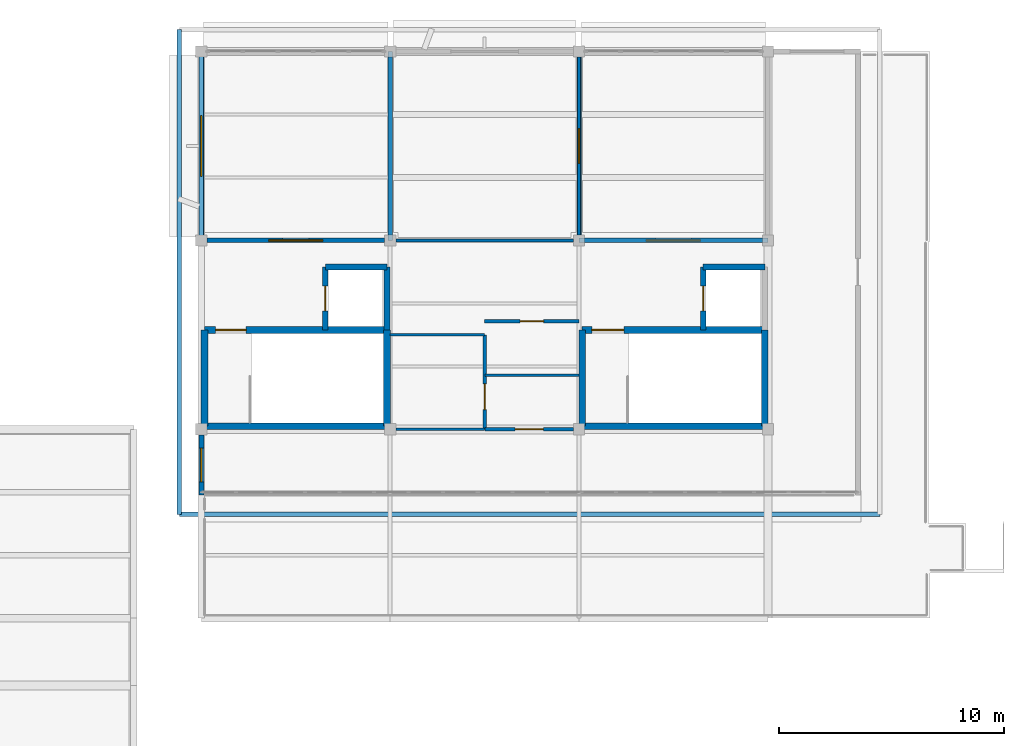
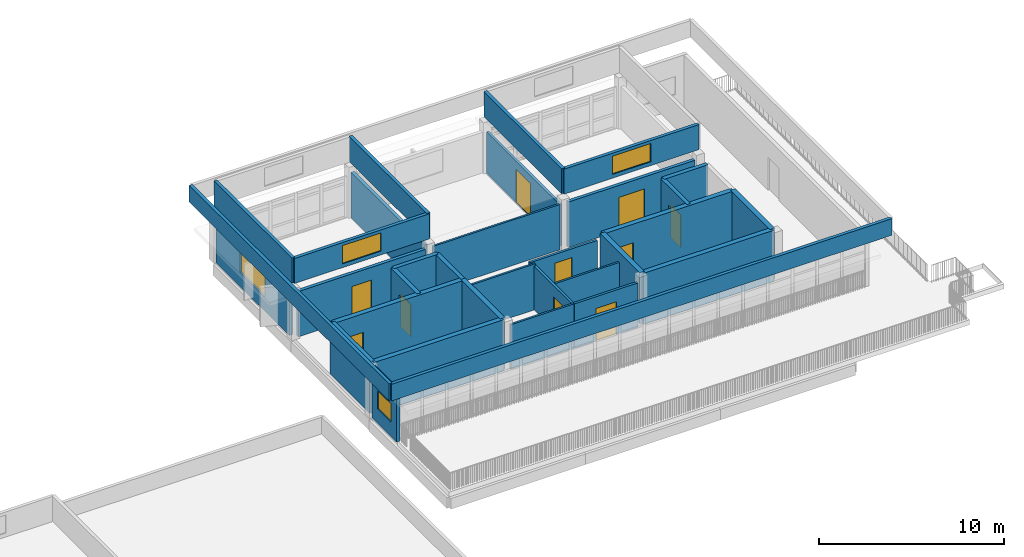
# One storey, part 8 of 14: 33 walls, 10 doors, 4 windows, 14 openings.
"""IFC4 building model written with IfcOpenShell, lengths in metres."""

from ifc_helpers import new_model, si_unit, direction, frame, frame_2d, origin, place, context, subcontext, project, spatial, rectangle, extrude, material, layer, layer_set, type_object, element, fill, save


model = new_model("IFC4")

# Units and contexts
model_context = context("Model", 3, precision=1e-05, world=origin(), true_north=direction((0.0, 1.0)))
body_context = subcontext(model_context, "Body", "Model", "MODEL_VIEW")
ifc_project = project(units=[si_unit("LENGTHUNIT", "METRE"), si_unit("AREAUNIT", "SQUARE_METRE"), si_unit("VOLUMEUNIT", "CUBIC_METRE"), si_unit("PLANEANGLEUNIT", "RADIAN"), si_unit("MASSUNIT", "GRAM", prefix="KILO")], contexts=[model_context])

# Site, building, storey
site_placement = place(None, origin())
site = spatial("IfcSite", under=ifc_project, at=site_placement, CompositionType="ELEMENT")
building_placement = place(site_placement, origin())
building = spatial("IfcBuilding", under=site, at=building_placement, Name="Vanh Quang Courtyard School", CompositionType="ELEMENT")
storey_placement = place(building_placement, frame((0.0, 0.0, 22.199951171875)))
storey = spatial("IfcBuildingStorey", under=building, at=storey_placement, Name="L06", CompositionType="ELEMENT", Elevation=22.199951171875)

# Wall
ifc_material_1 = material(Name="Concrete C30/37", Category="concrete")
ifc_layer_1 = layer(ifc_material_1, 0.199951171875)
ifc_layer_set_1 = layer_set([ifc_layer_1], Name="Concrete C30/37")
wall_type_1 = type_object("IfcWallType", Name="W-COMP-200", PredefinedType="PARTITIONING", material=ifc_layer_set_1)
wall_1_placement = place(storey_placement, frame((85.800048828125, 96.35205078125, 0.0), z_axis=(0.0, 0.0, 1.0), x_axis=(0.0, -1.0, 0.0)))
element("IfcWall", 1, at=wall_1_placement, inside=storey, type_object=wall_type_1, Name="Wall W-COMP1 (L06)", PredefinedType="PARTITIONING", context=body_context, shape_type="SweptSolid", body=[
    extrude(rectangle(XDim=7.904052734375, YDim=0.199951171875, at=frame_2d((3.9521484375, 0.0))), origin(), (0.0, 0.0, 1.0), 3.02001953125),
])

# Wall, opening, door
wall_2_placement = place(storey_placement, frame((85.552001953125, 88.199951171875, 0.0), z_axis=(0.0, 0.0, 1.0), x_axis=(-1.0, 0.0, 0.0)))
wall_2 = element("IfcWall", 2, at=wall_2_placement, inside=storey, type_object=wall_type_1, Name="Wall W-COMP1 (L06)", PredefinedType="PARTITIONING", context=body_context, shape_type="SweptSolid", body=[
    extrude(rectangle(XDim=7.904052734375, YDim=0.199951171875, at=frame_2d((3.9521484375, 0.0))), origin(), (0.0, 0.0, 1.0), 2.989990234375),
])
opening_1_placement = place(wall_2_placement, frame((3.35205078125, 0.0, 0.0)))
opening_1 = element("IfcOpeningElement", 3, at=opening_1_placement, cuts=wall_2, Name="Opening L06-D194", PredefinedType="OPENING", context=body_context, shape_type="SweptSolid", body=[
    extrude(rectangle(XDim=1.199951171875, YDim=2.14990234375, at=frame_2d((0.60009765625, 1.074951171875))), frame((0.0, 0.10986328125, 0.0), z_axis=(0.0, -1.0, 0.0), x_axis=(1.0, 0.0, 0.0)), (0.0, 0.0, 1.0), 0.219970703125),
])
ifc_material_2 = material(Name="Painted galvanised steel fire door", Category="steel")
door_type_1 = type_object("IfcDoorType", Name="IDR-FD-1200x2150", OperationType="NOTDEFINED", PredefinedType="DOOR", material=ifc_material_2)
door_1_placement = place(opening_1_placement, origin())
door_1 = element("IfcDoor", 4, at=door_1_placement, inside=storey, type_object=door_type_1, Name="Door L06-D194 (L06)", OperationType="SINGLE_SWING_LEFT", OverallHeight=2.14990234375, OverallWidth=1.199951171875, PredefinedType="DOOR", context=body_context, shape_type="SweptSolid", body=[
    extrude(rectangle(XDim=1.199951171875, YDim=2.14990234375, at=frame_2d((0.60009765625, 1.074951171875))), frame((0.0, 0.02490234375, 0.0), z_axis=(0.0, -1.0, 0.0), x_axis=(1.0, 0.0, 0.0)), (0.0, 0.0, 1.0), 0.050048828125),
])
fill(opening_1, door_1)

wall_3_placement = place(storey_placement, frame((102.35205078125, 88.199951171875, 0.0), z_axis=(0.0, 0.0, 1.0), x_axis=(-1.0, 0.0, 0.0)))
wall_3 = element("IfcWall", 5, at=wall_3_placement, inside=storey, type_object=wall_type_1, Name="Wall W-COMP1 (L06)", PredefinedType="PARTITIONING", context=body_context, shape_type="SweptSolid", body=[
    extrude(rectangle(XDim=7.904052734375, YDim=0.199951171875, at=frame_2d((3.9521484375, 0.0))), origin(), (0.0, 0.0, 1.0), 2.989990234375),
])
opening_2_placement = place(wall_3_placement, frame((3.152099609375, 0.0, 0.0)))
opening_2 = element("IfcOpeningElement", 6, at=opening_2_placement, cuts=wall_3, Name="Opening L06-D196", PredefinedType="OPENING", context=body_context, shape_type="SweptSolid", body=[
    extrude(rectangle(XDim=1.60009765625, YDim=2.199951171875, at=frame_2d((0.800048828125, 1.10009765625))), frame((0.0, 0.10986328125, 0.0), z_axis=(0.0, -1.0, 0.0), x_axis=(1.0, 0.0, 0.0)), (0.0, 0.0, 1.0), 0.219970703125),
])
door_type_2 = type_object("IfcDoorType", Name="IDR-FD-1600x2200", OperationType="NOTDEFINED", PredefinedType="DOOR", material=ifc_material_2)
door_2_placement = place(opening_2_placement, origin())
door_2 = element("IfcDoor", 7, at=door_2_placement, inside=storey, type_object=door_type_2, Name="Door L06-D196 (L06)", OperationType="DOUBLE_DOOR_SINGLE_SWING", OverallHeight=2.199951171875, OverallWidth=1.60009765625, PredefinedType="DOOR", context=body_context, shape_type="SweptSolid", body=[
    extrude(rectangle(XDim=1.60009765625, YDim=2.199951171875, at=frame_2d((0.800048828125, 1.10009765625))), frame((0.0, 0.02490234375, 0.0), z_axis=(0.0, -1.0, 0.0), x_axis=(1.0, 0.0, 0.0)), (0.0, 0.0, 1.0), 0.050048828125),
])
fill(opening_2, door_2)

# Walls
ifc_material_3 = material(Name="Concrete C35/45", Category="concrete")
ifc_layer_2 = layer(ifc_material_3, 0.300048828125)
ifc_layer_set_2 = layer_set([ifc_layer_2], Name="Concrete C35/45")
wall_type_2 = type_object("IfcWallType", Name="W-CORE-300", PredefinedType="SHEAR", material=ifc_layer_set_2)
wall_4_placement = place(storey_placement, frame((77.5400390625, 79.93994140625, 0.0), z_axis=(0.0, 0.0, 1.0), x_axis=(1.0, 0.0, 0.0)))
element("IfcWall", 8, at=wall_4_placement, inside=storey, type_object=wall_type_2, Name="Wall W-CORE1 (L06)", PredefinedType="SHEAR", context=body_context, shape_type="SweptSolid", body=[
    extrude(rectangle(XDim=8.119873046875, YDim=0.300048828125, at=frame_2d((4.06005859375, 0.0))), origin(), (0.0, 0.0, 1.0), 3.380126953125),
])
wall_5_placement = place(storey_placement, frame((85.659912109375, 79.93994140625, 0.0), z_axis=(0.0, 0.0, 1.0), x_axis=(0.0, 1.0, 0.0)))
element("IfcWall", 9, at=wall_5_placement, inside=storey, type_object=wall_type_2, Name="Wall W-CORE1 (L06)", PredefinedType="SHEAR", context=body_context, shape_type="SweptSolid", body=[
    extrude(rectangle(XDim=4.280029296875, YDim=0.300048828125, at=frame_2d((2.14013671875, 0.0))), origin(), (0.0, 0.0, 1.0), 3.380126953125),
])

# Wall, opening, door
wall_6_placement = place(storey_placement, frame((85.659912109375, 84.219970703125, 0.0), z_axis=(0.0, 0.0, 1.0), x_axis=(-1.0, 0.0, 0.0)))
wall_6 = element("IfcWall", 10, at=wall_6_placement, inside=storey, type_object=wall_type_2, Name="Wall W-CORE1 (L06)", PredefinedType="SHEAR", context=body_context, shape_type="SweptSolid", body=[
    extrude(rectangle(XDim=8.119873046875, YDim=0.300048828125, at=frame_2d((4.06005859375, 0.0))), origin(), (0.0, 0.0, 1.0), 3.380126953125),
])
opening_3_placement = place(wall_6_placement, frame((6.27001953125, 0.0, 0.0)))
opening_3 = element("IfcOpeningElement", 11, at=opening_3_placement, cuts=wall_6, Name="Opening L06-DS1", PredefinedType="OPENING", context=body_context, shape_type="SweptSolid", body=[
    extrude(rectangle(XDim=1.35009765625, YDim=2.14990234375, at=frame_2d((0.675048828125, 1.074951171875))), frame((0.0, 0.16015625, 0.0), z_axis=(0.0, -1.0, 0.0), x_axis=(1.0, 0.0, 0.0)), (0.0, 0.0, 1.0), 0.320068359375),
])
door_type_3 = type_object("IfcDoorType", Name="IDR-ST-1350x2150", OperationType="NOTDEFINED", PredefinedType="DOOR", material=ifc_material_2)
door_3_placement = place(opening_3_placement, frame((1.35009765625, 0.0, 0.0), z_axis=(0.0, 0.0, 1.0), x_axis=(-1.0, 0.0, 0.0)))
door_3 = element("IfcDoor", 12, at=door_3_placement, inside=storey, type_object=door_type_3, Name="Door L06-DS1 (L06)", OperationType="SINGLE_SWING_RIGHT", OverallHeight=2.14990234375, OverallWidth=1.35009765625, PredefinedType="DOOR", context=body_context, shape_type="SweptSolid", body=[
    extrude(rectangle(XDim=1.35009765625, YDim=2.14990234375, at=frame_2d((0.675048828125, 1.074951171875))), frame((0.0, 0.02490234375, 0.0), z_axis=(0.0, -1.0, 0.0), x_axis=(1.0, 0.0, 0.0)), (0.0, 0.0, 1.0), 0.050048828125),
])
fill(opening_3, door_3)

# Walls
wall_7_placement = place(storey_placement, frame((77.5400390625, 84.219970703125, 0.0), z_axis=(0.0, 0.0, 1.0), x_axis=(0.0, -1.0, 0.0)))
element("IfcWall", 13, at=wall_7_placement, inside=storey, type_object=wall_type_2, Name="Wall W-CORE1 (L06)", PredefinedType="SHEAR", context=body_context, shape_type="SweptSolid", body=[
    extrude(rectangle(XDim=4.280029296875, YDim=0.300048828125, at=frame_2d((2.14013671875, 0.0))), origin(), (0.0, 0.0, 1.0), 3.380126953125),
])
wall_8_placement = place(storey_placement, frame((94.340087890625, 79.93994140625, 0.0), z_axis=(0.0, 0.0, 1.0), x_axis=(1.0, 0.0, 0.0)))
element("IfcWall", 14, at=wall_8_placement, inside=storey, type_object=wall_type_2, Name="Wall W-CORE1 (L06)", PredefinedType="SHEAR", context=body_context, shape_type="SweptSolid", body=[
    extrude(rectangle(XDim=8.119873046875, YDim=0.300048828125, at=frame_2d((4.06005859375, 0.0))), origin(), (0.0, 0.0, 1.0), 3.380126953125),
])
wall_9_placement = place(storey_placement, frame((102.4599609375, 79.93994140625, 0.0), z_axis=(0.0, 0.0, 1.0), x_axis=(0.0, 1.0, 0.0)))
element("IfcWall", 15, at=wall_9_placement, inside=storey, type_object=wall_type_2, Name="Wall W-CORE1 (L06)", PredefinedType="SHEAR", context=body_context, shape_type="SweptSolid", body=[
    extrude(rectangle(XDim=4.280029296875, YDim=0.300048828125, at=frame_2d((2.14013671875, 0.0))), origin(), (0.0, 0.0, 1.0), 3.380126953125),
])

# Wall, opening, door
wall_10_placement = place(storey_placement, frame((102.4599609375, 84.219970703125, 0.0), z_axis=(0.0, 0.0, 1.0), x_axis=(-1.0, 0.0, 0.0)))
wall_10 = element("IfcWall", 16, at=wall_10_placement, inside=storey, type_object=wall_type_2, Name="Wall W-CORE1 (L06)", PredefinedType="SHEAR", context=body_context, shape_type="SweptSolid", body=[
    extrude(rectangle(XDim=8.119873046875, YDim=0.300048828125, at=frame_2d((4.06005859375, 0.0))), origin(), (0.0, 0.0, 1.0), 3.380126953125),
])
opening_4_placement = place(wall_10_placement, frame((6.27001953125, 0.0, 0.0)))
opening_4 = element("IfcOpeningElement", 17, at=opening_4_placement, cuts=wall_10, Name="Opening L06-DS2", PredefinedType="OPENING", context=body_context, shape_type="SweptSolid", body=[
    extrude(rectangle(XDim=1.419921875, YDim=2.14990234375, at=frame_2d((0.7099609375, 1.074951171875))), frame((0.0, 0.16015625, 0.0), z_axis=(0.0, -1.0, 0.0), x_axis=(1.0, 0.0, 0.0)), (0.0, 0.0, 1.0), 0.320068359375),
])
door_type_4 = type_object("IfcDoorType", Name="IDR-ST-1420x2150", OperationType="NOTDEFINED", PredefinedType="DOOR", material=ifc_material_2)
door_4_placement = place(opening_4_placement, frame((1.419921875, 0.0, 0.0), z_axis=(0.0, 0.0, 1.0), x_axis=(-1.0, 0.0, 0.0)))
door_4 = element("IfcDoor", 18, at=door_4_placement, inside=storey, type_object=door_type_4, Name="Door L06-DS2 (L06)", OperationType="SINGLE_SWING_LEFT", OverallHeight=2.14990234375, OverallWidth=1.419921875, PredefinedType="DOOR", context=body_context, shape_type="SweptSolid", body=[
    extrude(rectangle(XDim=1.419921875, YDim=2.14990234375, at=frame_2d((0.7099609375, 1.074951171875))), frame((0.0, 0.02490234375, 0.0), z_axis=(0.0, -1.0, 0.0), x_axis=(1.0, 0.0, 0.0)), (0.0, 0.0, 1.0), 0.050048828125),
])
fill(opening_4, door_4)

# Wall
wall_11_placement = place(storey_placement, frame((94.340087890625, 84.219970703125, 0.0), z_axis=(0.0, 0.0, 1.0), x_axis=(0.0, -1.0, 0.0)))
element("IfcWall", 19, at=wall_11_placement, inside=storey, type_object=wall_type_2, Name="Wall W-CORE1 (L06)", PredefinedType="SHEAR", context=body_context, shape_type="SweptSolid", body=[
    extrude(rectangle(XDim=4.280029296875, YDim=0.300048828125, at=frame_2d((2.14013671875, 0.0))), origin(), (0.0, 0.0, 1.0), 3.380126953125),
])

# Wall, opening, window
ifc_layer_3 = layer(ifc_material_1, 0.219970703125)
ifc_layer_set_3 = layer_set([ifc_layer_3], Name="Concrete C30/37")
wall_type_3 = type_object("IfcWallType", Name="W-EXT-220", PredefinedType="SOLIDWALL", material=ifc_layer_set_3)
wall_12_placement = place(storey_placement, frame((77.39990234375, 76.8798828125, 0.0), z_axis=(0.0, 0.0, 1.0), x_axis=(0.0, 1.0, 0.0)))
wall_12 = element("IfcWall", 20, at=wall_12_placement, inside=storey, type_object=wall_type_3, Name="Wall WE-04 (L06)", PredefinedType="SOLIDWALL", context=body_context, shape_type="SweptSolid", body=[
    extrude(rectangle(XDim=2.672119140625, YDim=0.219970703125, at=frame_2d((1.3359375, 0.0))), origin(), (0.0, 0.0, 1.0), 3.380126953125),
])
opening_5_placement = place(wall_12_placement, frame((0.5859375, 0.0, 0.949951171875)))
opening_5 = element("IfcOpeningElement", 21, at=opening_5_placement, cuts=wall_12, Name="Opening WN-02", PredefinedType="OPENING", context=body_context, shape_type="SweptSolid", body=[
    extrude(rectangle(XDim=1.5, YDim=1.199951171875, at=frame_2d((0.75, 0.60009765625))), frame((0.0, 0.1201171875, 0.0), z_axis=(0.0, -1.0, 0.0), x_axis=(1.0, 0.0, 0.0)), (0.0, 0.0, 1.0), 0.239990234375),
])
ifc_material_4 = material(Name="Anodised aluminium and low-E double glazing", Category="aluminium")
window_type_1 = type_object("IfcWindowType", Name="WIN-TYP-02", PartitioningType="SINGLE_PANEL", PredefinedType="WINDOW", material=ifc_material_4)
window_1_placement = place(opening_5_placement, origin())
window_1 = element("IfcWindow", 22, at=window_1_placement, inside=storey, type_object=window_type_1, Name="Window WN-02 (L06)", OverallHeight=1.199951171875, OverallWidth=1.5, PartitioningType="SINGLE_PANEL", PredefinedType="WINDOW", context=body_context, shape_type="SweptSolid", body=[
    extrude(rectangle(XDim=1.5, YDim=1.199951171875, at=frame_2d((0.75, 0.60009765625))), frame((0.0, 0.030029296875, 0.0), z_axis=(0.0, -1.0, 0.0), x_axis=(1.0, 0.0, 0.0)), (0.0, 0.0, 1.0), 0.06005859375),
])
fill(opening_5, window_1)

wall_13_placement = place(storey_placement, frame((77.39990234375, 88.447998046875, 0.0), z_axis=(0.0, 0.0, 1.0), x_axis=(0.0, 1.0, 0.0)))
wall_13 = element("IfcWall", 23, at=wall_13_placement, inside=storey, type_object=wall_type_3, Name="Wall WE-04 (L06)", PredefinedType="SOLIDWALL", context=body_context, shape_type="SweptSolid", body=[
    extrude(rectangle(XDim=7.904052734375, YDim=0.219970703125, at=frame_2d((3.9521484375, 0.0))), origin(), (0.0, 0.0, 1.0), 2.679931640625),
])
opening_6_placement = place(wall_13_placement, frame((2.60205078125, 0.0, 0.949951171875)))
opening_6 = element("IfcOpeningElement", 24, at=opening_6_placement, cuts=wall_13, Name="Opening WN-15", PredefinedType="OPENING", context=body_context, shape_type="SweptSolid", body=[
    extrude(rectangle(XDim=2.699951171875, YDim=1.5, at=frame_2d((1.35009765625, 0.75))), frame((0.0, 0.1201171875, 0.0), z_axis=(0.0, -1.0, 0.0), x_axis=(1.0, 0.0, 0.0)), (0.0, 0.0, 1.0), 0.239990234375),
])
window_type_2 = type_object("IfcWindowType", Name="WIN-TYP-15", PartitioningType="SINGLE_PANEL", PredefinedType="WINDOW", material=ifc_material_4)
window_2_placement = place(opening_6_placement, origin())
window_2 = element("IfcWindow", 25, at=window_2_placement, inside=storey, type_object=window_type_2, Name="Window WN-15 (L06)", OverallHeight=1.5, OverallWidth=2.699951171875, PartitioningType="SINGLE_PANEL", PredefinedType="WINDOW", context=body_context, shape_type="SweptSolid", body=[
    extrude(rectangle(XDim=2.699951171875, YDim=1.5, at=frame_2d((1.35009765625, 0.75))), frame((0.0, 0.030029296875, 0.0), z_axis=(0.0, -1.0, 0.0), x_axis=(1.0, 0.0, 0.0)), (0.0, 0.0, 1.0), 0.06005859375),
])
fill(opening_6, window_2)

ifc_layer_4 = layer(ifc_material_3, 0.199951171875)
ifc_layer_set_4 = layer_set([ifc_layer_4], Name="Concrete C35/45")
wall_type_4 = type_object("IfcWallType", Name="W-MON-200", PredefinedType="SHEAR", material=ifc_layer_set_4)
wall_14_placement = place(storey_placement, frame((77.39990234375, 88.199951171875, 3.60009765625), z_axis=(0.0, 0.0, 1.0), x_axis=(1.0, 0.0, 0.0)))
wall_14 = element("IfcWall", 26, at=wall_14_placement, inside=storey, type_object=wall_type_4, Name="Wall WM-01 (L06)", PredefinedType="SHEAR", context=body_context, shape_type="SweptSolid", body=[
    extrude(rectangle(XDim=8.400146484375, YDim=0.199951171875, at=frame_2d((4.2001953125, 0.0))), origin(), (0.0, 0.0, 1.0), 1.64990234375),
])
opening_7_placement = place(wall_14_placement, frame((3.0, 0.0, 0.25)))
opening_7 = element("IfcOpeningElement", 27, at=opening_7_placement, cuts=wall_14, Name="Opening WN-05", PredefinedType="OPENING", context=body_context, shape_type="SweptSolid", body=[
    extrude(rectangle(XDim=2.39990234375, YDim=1.199951171875, at=frame_2d((1.199951171875, 0.60009765625))), frame((0.0, 0.10986328125, 0.0), z_axis=(0.0, -1.0, 0.0), x_axis=(1.0, 0.0, 0.0)), (0.0, 0.0, 1.0), 0.219970703125),
])
window_type_3 = type_object("IfcWindowType", Name="WIN-TYP-05", PartitioningType="SINGLE_PANEL", PredefinedType="WINDOW", material=ifc_material_4)
window_3_placement = place(opening_7_placement, origin())
window_3 = element("IfcWindow", 28, at=window_3_placement, inside=storey, type_object=window_type_3, Name="Window WN-05 (L06)", OverallHeight=1.199951171875, OverallWidth=2.39990234375, PartitioningType="SINGLE_PANEL", PredefinedType="WINDOW", context=body_context, shape_type="SweptSolid", body=[
    extrude(rectangle(XDim=2.39990234375, YDim=1.199951171875, at=frame_2d((1.199951171875, 0.60009765625))), frame((0.0, 0.030029296875, 0.0), z_axis=(0.0, -1.0, 0.0), x_axis=(1.0, 0.0, 0.0)), (0.0, 0.0, 1.0), 0.06005859375),
])
fill(opening_7, window_3)

# Walls
for number, where, z_axis, x_axis, name in (
    (29, (85.800048828125, 88.199951171875, 3.60009765625), (0.0, 0.0, 1.0), (0.0, 1.0, 0.0), "Wall WM-01 (L06)"),
    (30, (77.39990234375, 96.60009765625, 3.60009765625), (0.0, 0.0, 1.0), (0.0, -1.0, 0.0), "Wall WM-01 (L06)"),
):
    element("IfcWall", number, at=place(storey_placement, frame(where, z_axis=z_axis, x_axis=x_axis)), inside=storey, type_object=wall_type_4, Name=name, PredefinedType="SHEAR", context=body_context, shape_type="SweptSolid", body=[
        extrude(rectangle(XDim=8.400146484375, YDim=0.199951171875, at=frame_2d((4.2001953125, 0.0))), origin(), (0.0, 0.0, 1.0), 1.64990234375),
    ])

# Wall, opening, window
wall_15_placement = place(storey_placement, frame((94.199951171875, 88.199951171875, 3.60009765625), z_axis=(0.0, 0.0, 1.0), x_axis=(1.0, 0.0, 0.0)))
wall_15 = element("IfcWall", 31, at=wall_15_placement, inside=storey, type_object=wall_type_4, Name="Wall WM-01 (L06)", PredefinedType="SHEAR", context=body_context, shape_type="SweptSolid", body=[
    extrude(rectangle(XDim=8.400146484375, YDim=0.199951171875, at=frame_2d((4.2001953125, 0.0))), origin(), (0.0, 0.0, 1.0), 1.64990234375),
])
opening_8_placement = place(wall_15_placement, frame((3.0, 0.0, 0.25)))
opening_8 = element("IfcOpeningElement", 32, at=opening_8_placement, cuts=wall_15, Name="Opening WN-05", PredefinedType="OPENING", context=body_context, shape_type="SweptSolid", body=[
    extrude(rectangle(XDim=2.39990234375, YDim=1.199951171875, at=frame_2d((1.199951171875, 0.60009765625))), frame((0.0, 0.10986328125, 0.0), z_axis=(0.0, -1.0, 0.0), x_axis=(1.0, 0.0, 0.0)), (0.0, 0.0, 1.0), 0.219970703125),
])
window_4_placement = place(opening_8_placement, origin())
window_4 = element("IfcWindow", 33, at=window_4_placement, inside=storey, type_object=window_type_3, Name="Window WN-05 (L06)", OverallHeight=1.199951171875, OverallWidth=2.39990234375, PartitioningType="SINGLE_PANEL", PredefinedType="WINDOW", context=body_context, shape_type="SweptSolid", body=[
    extrude(rectangle(XDim=2.39990234375, YDim=1.199951171875, at=frame_2d((1.199951171875, 0.60009765625))), frame((0.0, 0.030029296875, 0.0), z_axis=(0.0, -1.0, 0.0), x_axis=(1.0, 0.0, 0.0)), (0.0, 0.0, 1.0), 0.06005859375),
])
fill(opening_8, window_4)

# Walls
wall_16_placement = place(storey_placement, frame((94.199951171875, 96.60009765625, 3.60009765625), z_axis=(0.0, 0.0, 1.0), x_axis=(0.0, -1.0, 0.0)))
element("IfcWall", 34, at=wall_16_placement, inside=storey, type_object=wall_type_4, Name="Wall WM-01 (L06)", PredefinedType="SHEAR", context=body_context, shape_type="SweptSolid", body=[
    extrude(rectangle(XDim=8.400146484375, YDim=0.199951171875, at=frame_2d((4.2001953125, 0.0))), origin(), (0.0, 0.0, 1.0), 1.64990234375),
])
ifc_layer_5 = layer(ifc_material_3, 0.199951171875)
ifc_layer_set_5 = layer_set([ifc_layer_5], Name="Concrete C35/45")
wall_type_5 = type_object("IfcWallType", Name="W-PAR-200", PredefinedType="PARAPET", material=ifc_layer_set_5)
wall_17_placement = place(storey_placement, frame((76.419921875, 76.02001953125, 3.60009765625), z_axis=(0.0, 0.0, 1.0), x_axis=(0.0, 1.0, 0.0)))
element("IfcWall", 35, at=wall_17_placement, inside=storey, type_object=wall_type_5, Name="Wall WP-01 (L06)", PredefinedType="PARAPET", context=body_context, shape_type="SweptSolid", body=[
    extrude(rectangle(XDim=21.56005859375, YDim=0.199951171875, at=frame_2d((10.780029296875, 0.0))), origin(), (0.0, 0.0, 1.0), 1.099853515625),
])
wall_18_placement = place(storey_placement, frame((107.580078125, 76.02001953125, 3.60009765625), z_axis=(0.0, 0.0, 1.0), x_axis=(-1.0, 0.0, 0.0)))
element("IfcWall", 36, at=wall_18_placement, inside=storey, type_object=wall_type_5, Name="Wall WP-01 (L06)", PredefinedType="PARAPET", context=body_context, shape_type="SweptSolid", body=[
    extrude(rectangle(XDim=31.16015625, YDim=0.199951171875, at=frame_2d((15.580078125, 0.0))), origin(), (0.0, 0.0, 1.0), 1.099853515625),
])
ifc_material_5 = material(Name="Acoustic gypsum stud partition", Category="gypsum")
ifc_layer_6 = layer(ifc_material_5, 0.1201171875)
ifc_layer_set_6 = layer_set([ifc_layer_6], Name="Acoustic gypsum stud partition")
wall_type_6 = type_object("IfcWallType", Name="W-PART-120", PredefinedType="PARTITIONING", material=ifc_layer_set_6)
wall_19_placement = place(storey_placement, frame((85.800048828125, 84.0, 0.0), z_axis=(0.0, 0.0, 1.0), x_axis=(1.0, 0.0, 0.0)))
element("IfcWall", 37, at=wall_19_placement, inside=storey, type_object=wall_type_6, Name="Wall W-PRT2 (L06)", PredefinedType="PARTITIONING", context=body_context, shape_type="SweptSolid", body=[
    extrude(rectangle(XDim=4.199951171875, YDim=0.1201171875, at=frame_2d((2.10009765625, 0.0))), origin(), (0.0, 0.0, 1.0), 3.02001953125),
])
wall_20_placement = place(storey_placement, frame((90.0, 79.800048828125, 0.0), z_axis=(0.0, 0.0, 1.0), x_axis=(-1.0, 0.0, 0.0)))
element("IfcWall", 38, at=wall_20_placement, inside=storey, type_object=wall_type_6, Name="Wall W-PRT2 (L06)", PredefinedType="PARTITIONING", context=body_context, shape_type="SweptSolid", body=[
    extrude(rectangle(XDim=3.951904296875, YDim=0.1201171875, at=frame_2d((1.97607421875, 0.0))), origin(), (0.0, 0.0, 1.0), 2.929931640625),
])
wall_21_placement = place(storey_placement, frame((90.02001953125, 82.199951171875, 0.0), z_axis=(0.0, 0.0, 1.0), x_axis=(1.0, 0.0, 0.0)))
element("IfcWall", 39, at=wall_21_placement, inside=storey, type_object=wall_type_6, Name="Wall W-PRT2 (L06)", PredefinedType="PARTITIONING", context=body_context, shape_type="SweptSolid", body=[
    extrude(rectangle(XDim=4.179931640625, YDim=0.1201171875, at=frame_2d((2.08984375, 0.0))), origin(), (0.0, 0.0, 1.0), 2.72998046875),
])
wall_22_placement = place(storey_placement, frame((93.951904296875, 88.199951171875, 0.0), z_axis=(0.0, 0.0, 1.0), x_axis=(-1.0, 0.0, 0.0)))
element("IfcWall", 40, at=wall_22_placement, inside=storey, type_object=wall_type_6, Name="Wall W-PRT2 (L06)", PredefinedType="PARTITIONING", context=body_context, shape_type="SweptSolid", body=[
    extrude(rectangle(XDim=7.90380859375, YDim=0.1201171875, at=frame_2d((3.951904296875, 0.0))), origin(), (0.0, 0.0, 1.0), 2.989990234375),
])

# Wall, opening, door
ifc_material_6 = material(Name="Autoclaved aerated masonry blockwork", Category="masonry")
ifc_layer_7 = layer(ifc_material_6, 0.14990234375)
ifc_layer_set_7 = layer_set([ifc_layer_7], Name="Autoclaved aerated masonry blockwork")
wall_type_7 = type_object("IfcWallType", Name="W-PART-150", PredefinedType="PARTITIONING", material=ifc_layer_set_7)
wall_23_placement = place(storey_placement, frame((90.0, 84.0, 0.0), z_axis=(0.0, 0.0, 1.0), x_axis=(0.0, -1.0, 0.0)))
wall_23 = element("IfcWall", 41, at=wall_23_placement, inside=storey, type_object=wall_type_7, Name="Wall W-PRT1 (L06)", PredefinedType="PARTITIONING", context=body_context, shape_type="SweptSolid", body=[
    extrude(rectangle(XDim=4.199951171875, YDim=0.14990234375, at=frame_2d((2.10009765625, 0.0))), origin(), (0.0, 0.0, 1.0), 2.880126953125),
])
opening_9_placement = place(wall_23_placement, frame((2.175048828125, 0.0, 0.0)))
opening_9 = element("IfcOpeningElement", 42, at=opening_9_placement, cuts=wall_23, Name="Opening L06-D191", PredefinedType="OPENING", context=body_context, shape_type="SweptSolid", body=[
    extrude(rectangle(XDim=1.14990234375, YDim=2.14990234375, at=frame_2d((0.574951171875, 1.074951171875))), frame((0.0, 0.0849609375, 0.0), z_axis=(0.0, -1.0, 0.0), x_axis=(1.0, 0.0, 0.0)), (0.0, 0.0, 1.0), 0.169921875),
])
door_type_5 = type_object("IfcDoorType", Name="IDR-LAB-1150x2150", OperationType="NOTDEFINED", PredefinedType="DOOR", material=ifc_material_2)
door_5_placement = place(opening_9_placement, origin())
door_5 = element("IfcDoor", 43, at=door_5_placement, inside=storey, type_object=door_type_5, Name="Door L06-D191 (L06)", OperationType="SINGLE_SWING_RIGHT", OverallHeight=2.14990234375, OverallWidth=1.14990234375, PredefinedType="DOOR", context=body_context, shape_type="SweptSolid", body=[
    extrude(rectangle(XDim=1.14990234375, YDim=2.14990234375, at=frame_2d((0.574951171875, 1.074951171875))), frame((0.0, 0.02490234375, 0.0), z_axis=(0.0, -1.0, 0.0), x_axis=(1.0, 0.0, 0.0)), (0.0, 0.0, 1.0), 0.050048828125),
])
fill(opening_9, door_5)

wall_24_placement = place(storey_placement, frame((93.951904296875, 79.800048828125, 0.0), z_axis=(0.0, 0.0, 1.0), x_axis=(-1.0, 0.0, 0.0)))
wall_24 = element("IfcWall", 44, at=wall_24_placement, inside=storey, type_object=wall_type_7, Name="Wall W-PRT1 (L06)", PredefinedType="PARTITIONING", context=body_context, shape_type="SweptSolid", body=[
    extrude(rectangle(XDim=3.931884765625, YDim=0.14990234375, at=frame_2d((1.9658203125, 0.0))), origin(), (0.0, 0.0, 1.0), 2.929931640625),
])
opening_10_placement = place(wall_24_placement, frame((1.341064453125, 0.0, 0.0)))
opening_10 = element("IfcOpeningElement", 45, at=opening_10_placement, cuts=wall_24, Name="Opening L06-D192", PredefinedType="OPENING", context=body_context, shape_type="SweptSolid", body=[
    extrude(rectangle(XDim=1.25, YDim=2.14990234375, at=frame_2d((0.625, 1.074951171875))), frame((0.0, 0.0849609375, 0.0), z_axis=(0.0, -1.0, 0.0), x_axis=(1.0, 0.0, 0.0)), (0.0, 0.0, 1.0), 0.169921875),
])
door_type_6 = type_object("IfcDoorType", Name="IDR-LAB-1250x2150", OperationType="NOTDEFINED", PredefinedType="DOOR", material=ifc_material_2)
door_6_placement = place(opening_10_placement, origin())
door_6 = element("IfcDoor", 46, at=door_6_placement, inside=storey, type_object=door_type_6, Name="Door L06-D192 (L06)", OperationType="SINGLE_SWING_LEFT", OverallHeight=2.14990234375, OverallWidth=1.25, PredefinedType="DOOR", context=body_context, shape_type="SweptSolid", body=[
    extrude(rectangle(XDim=1.25, YDim=2.14990234375, at=frame_2d((0.625, 1.074951171875))), frame((0.0, 0.02490234375, 0.0), z_axis=(0.0, -1.0, 0.0), x_axis=(1.0, 0.0, 0.0)), (0.0, 0.0, 1.0), 0.050048828125),
])
fill(opening_10, door_6)

wall_25_placement = place(storey_placement, frame((90.0, 84.60009765625, 0.0), z_axis=(0.0, 0.0, 1.0), x_axis=(1.0, 0.0, 0.0)))
wall_25 = element("IfcWall", 47, at=wall_25_placement, inside=storey, type_object=wall_type_7, Name="Wall W-PRT1 (L06)", PredefinedType="PARTITIONING", context=body_context, shape_type="SweptSolid", body=[
    extrude(rectangle(XDim=4.199951171875, YDim=0.14990234375, at=frame_2d((2.10009765625, 0.0))), origin(), (0.0, 0.0, 1.0), 2.72998046875),
])
opening_11_placement = place(wall_25_placement, frame((1.574951171875, 0.0, 0.0)))
opening_11 = element("IfcOpeningElement", 48, at=opening_11_placement, cuts=wall_25, Name="Opening L06-D193", PredefinedType="OPENING", context=body_context, shape_type="SweptSolid", body=[
    extrude(rectangle(XDim=1.050048828125, YDim=2.14990234375, at=frame_2d((0.52490234375, 1.074951171875))), frame((0.0, 0.0849609375, 0.0), z_axis=(0.0, -1.0, 0.0), x_axis=(1.0, 0.0, 0.0)), (0.0, 0.0, 1.0), 0.169921875),
])
door_type_7 = type_object("IfcDoorType", Name="IDR-FD-1050x2150", OperationType="NOTDEFINED", PredefinedType="DOOR", material=ifc_material_2)
door_7_placement = place(opening_11_placement, origin())
door_7 = element("IfcDoor", 49, at=door_7_placement, inside=storey, type_object=door_type_7, Name="Door L06-D193 (L06)", OperationType="SINGLE_SWING_RIGHT", OverallHeight=2.14990234375, OverallWidth=1.050048828125, PredefinedType="DOOR", context=body_context, shape_type="SweptSolid", body=[
    extrude(rectangle(XDim=1.050048828125, YDim=2.14990234375, at=frame_2d((0.52490234375, 1.074951171875))), frame((0.0, 0.02490234375, 0.0), z_axis=(0.0, -1.0, 0.0), x_axis=(1.0, 0.0, 0.0)), (0.0, 0.0, 1.0), 0.050048828125),
])
fill(opening_11, door_7)

wall_26_placement = place(storey_placement, frame((94.199951171875, 96.35205078125, 0.0), z_axis=(0.0, 0.0, 1.0), x_axis=(0.0, -1.0, 0.0)))
wall_26 = element("IfcWall", 50, at=wall_26_placement, inside=storey, type_object=wall_type_7, Name="Wall W-PRT1 (L06)", PredefinedType="PARTITIONING", context=body_context, shape_type="SweptSolid", body=[
    extrude(rectangle(XDim=7.904052734375, YDim=0.14990234375, at=frame_2d((3.9521484375, 0.0))), origin(), (0.0, 0.0, 1.0), 2.72998046875),
])
opening_12_placement = place(wall_26_placement, frame((3.177001953125, 0.0, 0.0)))
opening_12 = element("IfcOpeningElement", 51, at=opening_12_placement, cuts=wall_26, Name="Opening L06-D195", PredefinedType="OPENING", context=body_context, shape_type="SweptSolid", body=[
    extrude(rectangle(XDim=1.550048828125, YDim=2.199951171875, at=frame_2d((0.77490234375, 1.10009765625))), frame((0.0, 0.0849609375, 0.0), z_axis=(0.0, -1.0, 0.0), x_axis=(1.0, 0.0, 0.0)), (0.0, 0.0, 1.0), 0.169921875),
])
door_type_8 = type_object("IfcDoorType", Name="IDR-KIT-1550x2200", OperationType="NOTDEFINED", PredefinedType="DOOR", material=ifc_material_2)
door_8_placement = place(opening_12_placement, origin())
door_8 = element("IfcDoor", 52, at=door_8_placement, inside=storey, type_object=door_type_8, Name="Door L06-D195 (L06)", OperationType="DOUBLE_DOOR_SINGLE_SWING", OverallHeight=2.199951171875, OverallWidth=1.550048828125, PredefinedType="DOOR", context=body_context, shape_type="SweptSolid", body=[
    extrude(rectangle(XDim=1.550048828125, YDim=2.199951171875, at=frame_2d((0.77490234375, 1.10009765625))), frame((0.0, 0.02490234375, 0.0), z_axis=(0.0, -1.0, 0.0), x_axis=(1.0, 0.0, 0.0)), (0.0, 0.0, 1.0), 0.050048828125),
])
fill(opening_12, door_8)

ifc_layer_8 = layer(ifc_material_3, 0.25)
ifc_layer_set_8 = layer_set([ifc_layer_8], Name="Concrete C35/45")
wall_type_8 = type_object("IfcWallType", Name="W-SHFT-250", PredefinedType="SHEAR", material=ifc_layer_set_8)
wall_27_placement = place(storey_placement, frame((82.919921875, 87.02001953125, 0.0), z_axis=(0.0, 0.0, 1.0), x_axis=(0.0, -1.0, 0.0)))
wall_27 = element("IfcWall", 53, at=wall_27_placement, inside=storey, type_object=wall_type_8, Name="Wall W-SHFT1 (L06)", PredefinedType="SHEAR", context=body_context, shape_type="SweptSolid", body=[
    extrude(rectangle(XDim=2.800048828125, YDim=0.25, at=frame_2d((1.39990234375, 0.0))), origin(), (0.0, 0.0, 1.0), 3.380126953125),
])
opening_13_placement = place(wall_27_placement, frame((0.85009765625, 0.0, 0.0)))
opening_13 = element("IfcOpeningElement", 54, at=opening_13_placement, cuts=wall_27, Name="Opening LD-01-L06", PredefinedType="OPENING", context=body_context, shape_type="SweptSolid", body=[
    extrude(rectangle(XDim=1.10009765625, YDim=2.14990234375, at=frame_2d((0.550048828125, 1.074951171875))), frame((0.0, 0.135009765625, 0.0), z_axis=(0.0, -1.0, 0.0), x_axis=(1.0, 0.0, 0.0)), (0.0, 0.0, 1.0), 0.27001953125),
])
door_type_9 = type_object("IfcDoorType", Name="IDR-LD-1100x2150", OperationType="NOTDEFINED", PredefinedType="DOOR", material=ifc_material_2)
door_9_placement = place(opening_13_placement, origin())
door_9 = element("IfcDoor", 55, at=door_9_placement, inside=storey, type_object=door_type_9, Name="Door LD-01-L06 (L06)", OperationType="DOUBLE_DOOR_SLIDING", OverallHeight=2.14990234375, OverallWidth=1.10009765625, PredefinedType="DOOR", context=body_context, shape_type="SweptSolid", body=[
    extrude(rectangle(XDim=1.10009765625, YDim=2.14990234375, at=frame_2d((0.550048828125, 1.074951171875))), frame((0.0, 0.02490234375, 0.0), z_axis=(0.0, -1.0, 0.0), x_axis=(1.0, 0.0, 0.0)), (0.0, 0.0, 1.0), 0.050048828125),
])
fill(opening_13, door_9)

# Walls
wall_28_placement = place(storey_placement, frame((85.659912109375, 87.02001953125, 0.0), z_axis=(0.0, 0.0, 1.0), x_axis=(-1.0, 0.0, 0.0)))
element("IfcWall", 56, at=wall_28_placement, inside=storey, type_object=wall_type_8, Name="Wall W-SHFT1 (L06)", PredefinedType="SHEAR", context=body_context, shape_type="SweptSolid", body=[
    extrude(rectangle(XDim=2.739990234375, YDim=0.25, at=frame_2d((1.3701171875, 0.0))), origin(), (0.0, 0.0, 1.0), 3.380126953125),
])
wall_29_placement = place(storey_placement, frame((85.659912109375, 84.219970703125, 0.0), z_axis=(0.0, 0.0, 1.0), x_axis=(0.0, 1.0, 0.0)))
element("IfcWall", 57, at=wall_29_placement, inside=storey, type_object=wall_type_8, Name="Wall W-SHFT1 (L06)", PredefinedType="SHEAR", context=body_context, shape_type="SweptSolid", body=[
    extrude(rectangle(XDim=2.800048828125, YDim=0.25, at=frame_2d((1.39990234375, 0.0))), origin(), (0.0, 0.0, 1.0), 3.380126953125),
])

# Wall, opening, door
wall_30_placement = place(storey_placement, frame((99.719970703125, 87.02001953125, 0.0), z_axis=(0.0, 0.0, 1.0), x_axis=(0.0, -1.0, 0.0)))
wall_30 = element("IfcWall", 58, at=wall_30_placement, inside=storey, type_object=wall_type_8, Name="Wall W-SHFT1 (L06)", PredefinedType="SHEAR", context=body_context, shape_type="SweptSolid", body=[
    extrude(rectangle(XDim=2.800048828125, YDim=0.25, at=frame_2d((1.39990234375, 0.0))), origin(), (0.0, 0.0, 1.0), 3.380126953125),
])
opening_14_placement = place(wall_30_placement, frame((0.85009765625, 0.0, 0.0)))
opening_14 = element("IfcOpeningElement", 59, at=opening_14_placement, cuts=wall_30, Name="Opening LD-02-L06", PredefinedType="OPENING", context=body_context, shape_type="SweptSolid", body=[
    extrude(rectangle(XDim=1.10009765625, YDim=2.14990234375, at=frame_2d((0.550048828125, 1.074951171875))), frame((0.0, 0.135009765625, 0.0), z_axis=(0.0, -1.0, 0.0), x_axis=(1.0, 0.0, 0.0)), (0.0, 0.0, 1.0), 0.27001953125),
])
door_10_placement = place(opening_14_placement, origin())
door_10 = element("IfcDoor", 60, at=door_10_placement, inside=storey, type_object=door_type_9, Name="Door LD-02-L06 (L06)", OperationType="DOUBLE_DOOR_SLIDING", OverallHeight=2.14990234375, OverallWidth=1.10009765625, PredefinedType="DOOR", context=body_context, shape_type="SweptSolid", body=[
    extrude(rectangle(XDim=1.10009765625, YDim=2.14990234375, at=frame_2d((0.550048828125, 1.074951171875))), frame((0.0, 0.02490234375, 0.0), z_axis=(0.0, -1.0, 0.0), x_axis=(1.0, 0.0, 0.0)), (0.0, 0.0, 1.0), 0.050048828125),
])
fill(opening_14, door_10)

# Wall
wall_31_placement = place(storey_placement, frame((102.4599609375, 87.02001953125, 0.0), z_axis=(0.0, 0.0, 1.0), x_axis=(-1.0, 0.0, 0.0)))
element("IfcWall", 61, at=wall_31_placement, inside=storey, type_object=wall_type_8, Name="Wall W-SHFT1 (L06)", PredefinedType="SHEAR", context=body_context, shape_type="SweptSolid", body=[
    extrude(rectangle(XDim=2.739990234375, YDim=0.25, at=frame_2d((1.3701171875, 0.0))), origin(), (0.0, 0.0, 1.0), 3.380126953125),
])

save(model, "model.ifc")
